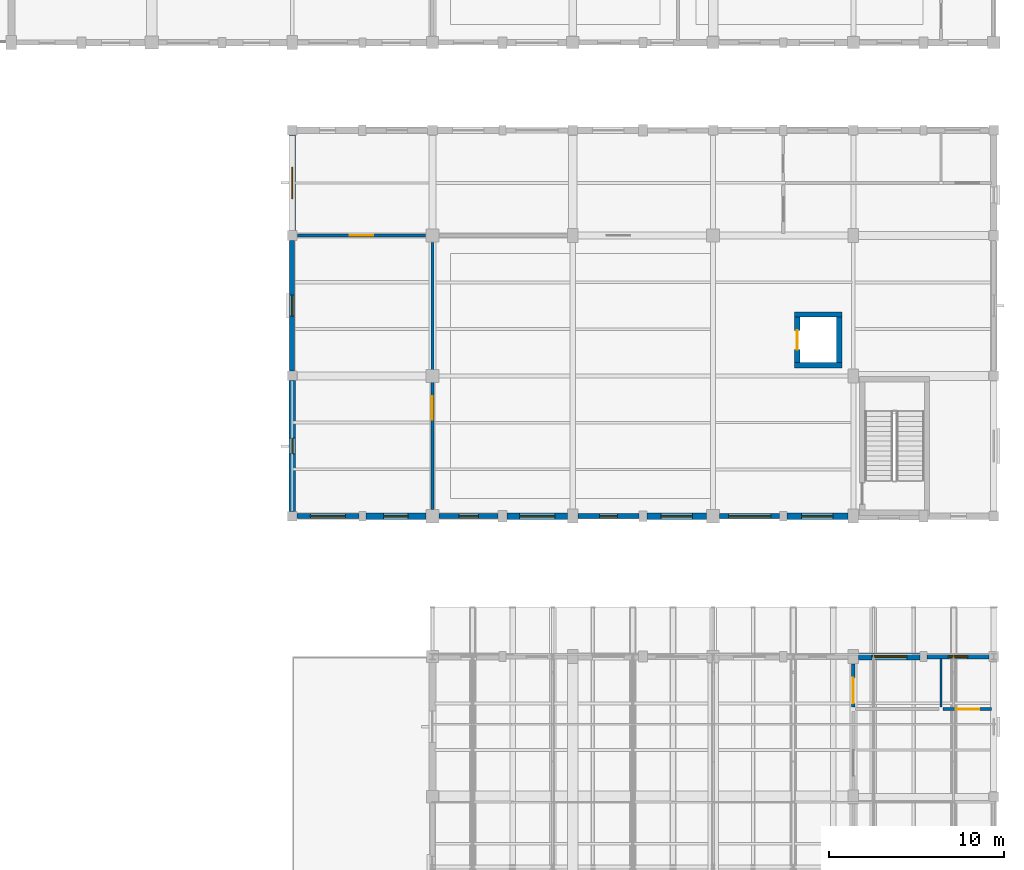
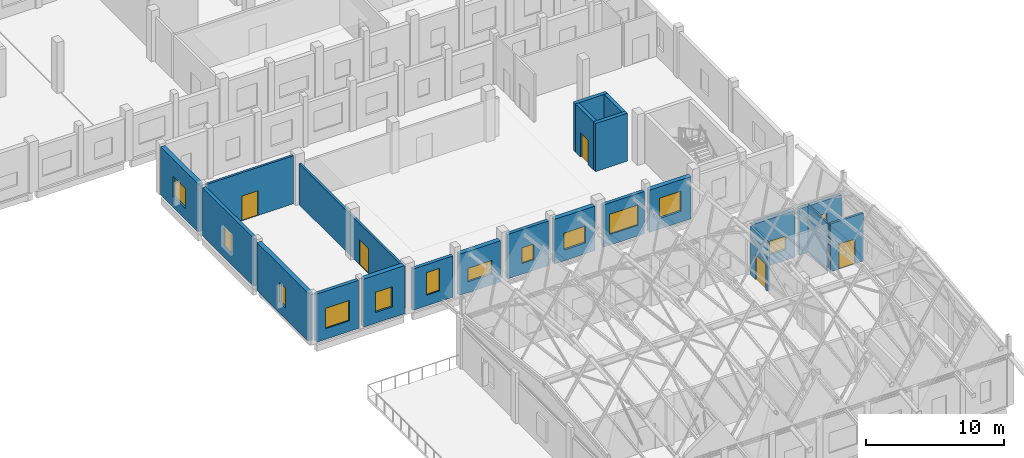
# One storey, part 47 of 77: 22 walls, 13 windows, 5 doors, 18 openings.
"""IFC4 building model written with IfcOpenShell, lengths in metres."""

from ifc_helpers import new_model, si_unit, direction, frame, frame_2d, origin, place, context, subcontext, project, spatial, rectangle, extrude, material, layer, layer_set, type_object, element, fill, save


model = new_model("IFC4")

# Units and contexts
model_context = context("Model", 3, precision=1e-05, world=origin(), true_north=direction((0.0, 1.0)))
body_context = subcontext(model_context, "Body", "Model", "MODEL_VIEW")
ifc_project = project(units=[si_unit("LENGTHUNIT", "METRE"), si_unit("AREAUNIT", "SQUARE_METRE"), si_unit("VOLUMEUNIT", "CUBIC_METRE"), si_unit("PLANEANGLEUNIT", "RADIAN"), si_unit("MASSUNIT", "GRAM", prefix="KILO")], contexts=[model_context])

# Site, building, storey
site_placement = place(None, origin())
site = spatial("IfcSite", under=ifc_project, at=site_placement, CompositionType="ELEMENT")
building_placement = place(site_placement, origin())
building = spatial("IfcBuilding", under=site, at=building_placement, Name="Luwemba Playhouse", CompositionType="ELEMENT")
storey_placement = place(building_placement, frame((0.0, 0.0, 9.300048828125)))
storey = spatial("IfcBuildingStorey", under=building, at=storey_placement, Name="L02", CompositionType="ELEMENT", Elevation=9.300048828125)

# Wall, opening, window
ifc_material_1 = material(Name="Clay facing brick obra vista masonry", Category="masonry")
ifc_layer_1 = layer(ifc_material_1, 0.3798828125)
ifc_layer_set_1 = layer_set([ifc_layer_1], Name="Clay facing brick obra vista masonry")
wall_type_1 = type_object("IfcWallType", Name="WAL-BRK-380", PredefinedType="SOLIDWALL", material=ifc_layer_set_1)
wall_1_placement = place(storey_placement, frame((164.300048828125, 60.0, 0.0), z_axis=(0.0, 0.0, 1.0), x_axis=(1.0, 0.0, 0.0)))
wall_1 = element("IfcWall", 1, at=wall_1_placement, inside=storey, type_object=wall_type_1, Name="L02 V3 exterior facade wall 0312", PredefinedType="SOLIDWALL", context=body_context, shape_type="SweptSolid", body=[
    extrude(rectangle(XDim=3.5, YDim=0.3798828125, at=frame_2d((1.75, 0.0))), origin(), (0.0, 0.0, 1.0), 4.125),
])
opening_1_placement = place(wall_1_placement, frame((0.75, 0.0, 0.949951171875)))
opening_1 = element("IfcOpeningElement", 2, at=opening_1_placement, cuts=wall_1, Name="Opening WN-16", PredefinedType="OPENING", context=body_context, shape_type="SweptSolid", body=[
    extrude(rectangle(XDim=2.0, YDim=1.199951171875, at=frame_2d((1.0, 0.60009765625))), frame((0.0, 0.199951171875, 0.0), z_axis=(0.0, -1.0, 0.0), x_axis=(1.0, 0.0, 0.0)), (0.0, 0.0, 1.0), 0.39990234375),
])
ifc_material_2 = material(Name="Solar-control double glazing in aluminium frame", Category="aluminium")
window_type_1 = type_object("IfcWindowType", Name="WIN-WN-16", PartitioningType="DOUBLE_PANEL_HORIZONTAL", PredefinedType="WINDOW", material=ifc_material_2)
window_1_placement = place(opening_1_placement, origin())
window_1 = element("IfcWindow", 3, at=window_1_placement, inside=storey, type_object=window_type_1, Name="L02 V3 scheduled window 0257", OverallHeight=1.199951171875, OverallWidth=2.0, PartitioningType="DOUBLE_PANEL_HORIZONTAL", PredefinedType="WINDOW", context=body_context, shape_type="SweptSolid", body=[
    extrude(rectangle(XDim=2.0, YDim=1.199951171875, at=frame_2d((1.0, 0.60009765625))), frame((0.0, 0.030029296875, 0.0), z_axis=(0.0, -1.0, 0.0), x_axis=(1.0, 0.0, 0.0)), (0.0, 0.0, 1.0), 0.06005859375),
])
fill(opening_1, window_1)

wall_2_placement = place(storey_placement, frame((132.0, 68.27490234375, 0.0), z_axis=(0.0, 0.0, 1.0), x_axis=(0.0, 1.0, 0.0)))
wall_2 = element("IfcWall", 4, at=wall_2_placement, inside=storey, type_object=wall_type_1, Name="L02 V4 exterior facade wall 0325", PredefinedType="SOLIDWALL", context=body_context, shape_type="SweptSolid", body=[
    extrude(rectangle(XDim=7.4501953125, YDim=0.3798828125, at=frame_2d((3.72509765625, 0.0))), origin(), (0.0, 0.0, 1.0), 4.27001953125),
])
opening_2_placement = place(wall_2_placement, frame((3.27490234375, 0.0, 0.949951171875)))
opening_2 = element("IfcOpeningElement", 5, at=opening_2_placement, cuts=wall_2, Name="Opening WN-18", PredefinedType="OPENING", context=body_context, shape_type="SweptSolid", body=[
    extrude(rectangle(XDim=0.89990234375, YDim=1.800048828125, at=frame_2d((0.449951171875, 0.89990234375))), frame((0.0, 0.199951171875, 0.0), z_axis=(0.0, -1.0, 0.0), x_axis=(1.0, 0.0, 0.0)), (0.0, 0.0, 1.0), 0.39990234375),
])
window_type_2 = type_object("IfcWindowType", Name="WIN-WN-18", PartitioningType="SINGLE_PANEL", PredefinedType="WINDOW", material=ifc_material_2)
window_2_placement = place(opening_2_placement, origin())
window_2 = element("IfcWindow", 6, at=window_2_placement, inside=storey, type_object=window_type_2, Name="L02 V4 scheduled window 0270", OverallHeight=1.800048828125, OverallWidth=0.89990234375, PartitioningType="SINGLE_PANEL", PredefinedType="WINDOW", context=body_context, shape_type="SweptSolid", body=[
    extrude(rectangle(XDim=0.89990234375, YDim=1.800048828125, at=frame_2d((0.449951171875, 0.89990234375))), frame((0.0, 0.030029296875, 0.0), z_axis=(0.0, -1.0, 0.0), x_axis=(1.0, 0.0, 0.0)), (0.0, 0.0, 1.0), 0.06005859375),
])
fill(opening_2, window_2)

wall_3_placement = place(storey_placement, frame((132.0, 84.27490234375, 0.0), z_axis=(0.0, 0.0, 1.0), x_axis=(0.0, 1.0, 0.0)))
wall_3 = element("IfcWall", 7, at=wall_3_placement, inside=storey, type_object=wall_type_1, Name="L02 V4 exterior facade wall 0327", PredefinedType="SOLIDWALL", context=body_context, shape_type="SweptSolid", body=[
    extrude(rectangle(XDim=5.4501953125, YDim=0.3798828125, at=frame_2d((2.72509765625, 0.0))), origin(), (0.0, 0.0, 1.0), 4.27001953125),
])
opening_3_placement = place(wall_3_placement, frame((1.824951171875, 0.0, 0.949951171875)))
opening_3 = element("IfcOpeningElement", 8, at=opening_3_placement, cuts=wall_3, Name="Opening WN-04", PredefinedType="OPENING", context=body_context, shape_type="SweptSolid", body=[
    extrude(rectangle(XDim=1.800048828125, YDim=1.800048828125, at=frame_2d((0.89990234375, 0.89990234375))), frame((0.0, 0.199951171875, 0.0), z_axis=(0.0, -1.0, 0.0), x_axis=(1.0, 0.0, 0.0)), (0.0, 0.0, 1.0), 0.39990234375),
])
window_type_3 = type_object("IfcWindowType", Name="WIN-WN-04", PartitioningType="DOUBLE_PANEL_VERTICAL", PredefinedType="WINDOW", material=ifc_material_2)
window_3_placement = place(opening_3_placement, origin())
window_3 = element("IfcWindow", 9, at=window_3_placement, inside=storey, type_object=window_type_3, Name="L02 V4 scheduled window 0272", OverallHeight=1.800048828125, OverallWidth=1.800048828125, PartitioningType="DOUBLE_PANEL_VERTICAL", PredefinedType="WINDOW", context=body_context, shape_type="SweptSolid", body=[
    extrude(rectangle(XDim=1.800048828125, YDim=1.800048828125, at=frame_2d((0.89990234375, 0.89990234375))), frame((0.0, 0.030029296875, 0.0), z_axis=(0.0, -1.0, 0.0), x_axis=(1.0, 0.0, 0.0)), (0.0, 0.0, 1.0), 0.06005859375),
])
fill(opening_3, window_3)

wall_4_placement = place(storey_placement, frame((163.699951171875, 68.0, 0.0), z_axis=(0.0, 0.0, 1.0), x_axis=(-1.0, 0.0, 0.0)))
wall_4 = element("IfcWall", 10, at=wall_4_placement, inside=storey, type_object=wall_type_1, Name="L02 V4 exterior facade wall 0343", PredefinedType="SOLIDWALL", context=body_context, shape_type="SweptSolid", body=[
    extrude(rectangle(XDim=3.5, YDim=0.3798828125, at=frame_2d((1.75, 0.0))), origin(), (0.0, 0.0, 1.0), 3.7548828125),
])
opening_4_placement = place(wall_4_placement, frame((0.85009765625, 0.0, 0.949951171875)))
opening_4 = element("IfcOpeningElement", 11, at=opening_4_placement, cuts=wall_4, Name="Opening WN-04", PredefinedType="OPENING", context=body_context, shape_type="SweptSolid", body=[
    extrude(rectangle(XDim=1.800048828125, YDim=1.800048828125, at=frame_2d((0.89990234375, 0.89990234375))), frame((0.0, 0.199951171875, 0.0), z_axis=(0.0, -1.0, 0.0), x_axis=(1.0, 0.0, 0.0)), (0.0, 0.0, 1.0), 0.39990234375),
])
window_4_placement = place(opening_4_placement, origin())
window_4 = element("IfcWindow", 12, at=window_4_placement, inside=storey, type_object=window_type_3, Name="L02 V4 scheduled window 0288", OverallHeight=1.800048828125, OverallWidth=1.800048828125, PartitioningType="DOUBLE_PANEL_VERTICAL", PredefinedType="WINDOW", context=body_context, shape_type="SweptSolid", body=[
    extrude(rectangle(XDim=1.800048828125, YDim=1.800048828125, at=frame_2d((0.89990234375, 0.89990234375))), frame((0.0, 0.030029296875, 0.0), z_axis=(0.0, -1.0, 0.0), x_axis=(1.0, 0.0, 0.0)), (0.0, 0.0, 1.0), 0.06005859375),
])
fill(opening_4, window_4)

wall_5_placement = place(storey_placement, frame((155.625, 68.0, 0.0), z_axis=(0.0, 0.0, 1.0), x_axis=(-1.0, 0.0, 0.0)))
wall_5 = element("IfcWall", 13, at=wall_5_placement, inside=storey, type_object=wall_type_1, Name="L02 V4 exterior facade wall 0345", PredefinedType="SOLIDWALL", context=body_context, shape_type="SweptSolid", body=[
    extrude(rectangle(XDim=3.39990234375, YDim=0.3798828125, at=frame_2d((1.699951171875, 0.0))), origin(), (0.0, 0.0, 1.0), 3.954833984375),
])
opening_5_placement = place(wall_5_placement, frame((0.800048828125, 0.0, 0.949951171875)))
opening_5 = element("IfcOpeningElement", 14, at=opening_5_placement, cuts=wall_5, Name="Opening WN-10", PredefinedType="OPENING", context=body_context, shape_type="SweptSolid", body=[
    extrude(rectangle(XDim=1.800048828125, YDim=1.5, at=frame_2d((0.89990234375, 0.75))), frame((0.0, 0.199951171875, 0.0), z_axis=(0.0, -1.0, 0.0), x_axis=(1.0, 0.0, 0.0)), (0.0, 0.0, 1.0), 0.39990234375),
])
window_type_4 = type_object("IfcWindowType", Name="WIN-WN-10", PartitioningType="DOUBLE_PANEL_VERTICAL", PredefinedType="WINDOW", material=ifc_material_2)
window_5_placement = place(opening_5_placement, origin())
window_5 = element("IfcWindow", 15, at=window_5_placement, inside=storey, type_object=window_type_4, Name="L02 V4 scheduled window 0290", OverallHeight=1.5, OverallWidth=1.800048828125, PartitioningType="DOUBLE_PANEL_VERTICAL", PredefinedType="WINDOW", context=body_context, shape_type="SweptSolid", body=[
    extrude(rectangle(XDim=1.800048828125, YDim=1.5, at=frame_2d((0.89990234375, 0.75))), frame((0.0, 0.030029296875, 0.0), z_axis=(0.0, -1.0, 0.0), x_axis=(1.0, 0.0, 0.0)), (0.0, 0.0, 1.0), 0.06005859375),
])
fill(opening_5, window_5)

wall_6_placement = place(storey_placement, frame((147.699951171875, 68.0, 0.0), z_axis=(0.0, 0.0, 1.0), x_axis=(-1.0, 0.0, 0.0)))
wall_6 = element("IfcWall", 16, at=wall_6_placement, inside=storey, type_object=wall_type_1, Name="L02 V4 exterior facade wall 0347", PredefinedType="SOLIDWALL", context=body_context, shape_type="SweptSolid", body=[
    extrude(rectangle(XDim=3.449951171875, YDim=0.3798828125, at=frame_2d((1.72509765625, 0.0))), origin(), (0.0, 0.0, 1.0), 3.655029296875),
])
opening_6_placement = place(wall_6_placement, frame((0.72509765625, 0.0, 0.949951171875)))
opening_6 = element("IfcOpeningElement", 17, at=opening_6_placement, cuts=wall_6, Name="Opening WN-16", PredefinedType="OPENING", context=body_context, shape_type="SweptSolid", body=[
    extrude(rectangle(XDim=2.0, YDim=1.199951171875, at=frame_2d((1.0, 0.60009765625))), frame((0.0, 0.199951171875, 0.0), z_axis=(0.0, -1.0, 0.0), x_axis=(1.0, 0.0, 0.0)), (0.0, 0.0, 1.0), 0.39990234375),
])
window_6_placement = place(opening_6_placement, origin())
window_6 = element("IfcWindow", 18, at=window_6_placement, inside=storey, type_object=window_type_1, Name="L02 V4 scheduled window 0292", OverallHeight=1.199951171875, OverallWidth=2.0, PartitioningType="DOUBLE_PANEL_HORIZONTAL", PredefinedType="WINDOW", context=body_context, shape_type="SweptSolid", body=[
    extrude(rectangle(XDim=2.0, YDim=1.199951171875, at=frame_2d((1.0, 0.60009765625))), frame((0.0, 0.030029296875, 0.0), z_axis=(0.0, -1.0, 0.0), x_axis=(1.0, 0.0, 0.0)), (0.0, 0.0, 1.0), 0.06005859375),
])
fill(opening_6, window_6)

wall_7_placement = place(storey_placement, frame((139.625, 68.0, 0.0), z_axis=(0.0, 0.0, 1.0), x_axis=(-1.0, 0.0, 0.0)))
wall_7 = element("IfcWall", 19, at=wall_7_placement, inside=storey, type_object=wall_type_1, Name="L02 V4 exterior facade wall 0349", PredefinedType="SOLIDWALL", context=body_context, shape_type="SweptSolid", body=[
    extrude(rectangle(XDim=3.425048828125, YDim=0.3798828125, at=frame_2d((1.71240234375, 0.0))), origin(), (0.0, 0.0, 1.0), 4.27001953125),
])
opening_7_placement = place(wall_7_placement, frame((1.012451171875, 0.0, 0.949951171875)))
opening_7 = element("IfcOpeningElement", 20, at=opening_7_placement, cuts=wall_7, Name="Opening WN-02", PredefinedType="OPENING", context=body_context, shape_type="SweptSolid", body=[
    extrude(rectangle(XDim=1.39990234375, YDim=1.800048828125, at=frame_2d((0.699951171875, 0.89990234375))), frame((0.0, 0.199951171875, 0.0), z_axis=(0.0, -1.0, 0.0), x_axis=(1.0, 0.0, 0.0)), (0.0, 0.0, 1.0), 0.39990234375),
])
window_type_5 = type_object("IfcWindowType", Name="WIN-WN-02", PartitioningType="DOUBLE_PANEL_VERTICAL", PredefinedType="WINDOW", material=ifc_material_2)
window_7_placement = place(opening_7_placement, origin())
window_7 = element("IfcWindow", 21, at=window_7_placement, inside=storey, type_object=window_type_5, Name="L02 V4 scheduled window 0294", OverallHeight=1.800048828125, OverallWidth=1.39990234375, PartitioningType="DOUBLE_PANEL_VERTICAL", PredefinedType="WINDOW", context=body_context, shape_type="SweptSolid", body=[
    extrude(rectangle(XDim=1.39990234375, YDim=1.800048828125, at=frame_2d((0.699951171875, 0.89990234375))), frame((0.0, 0.030029296875, 0.0), z_axis=(0.0, -1.0, 0.0), x_axis=(1.0, 0.0, 0.0)), (0.0, 0.0, 1.0), 0.06005859375),
])
fill(opening_7, window_7)

# Walls
ifc_material_3 = material(Name="Concrete C40/50", Category="concrete")
ifc_layer_2 = layer(ifc_material_3, 0.300048828125)
ifc_layer_set_2 = layer_set([ifc_layer_2], Name="Concrete C40/50")
wall_type_2 = type_object("IfcWallType", Name="WAL-CORE-300", PredefinedType="SHEAR", material=ifc_layer_set_2)
for number, where, z_axis, x_axis, name in (
    (22, (160.64990234375, 76.60009765625, 0.0), (0.0, 0.0, 1.0), (1.0, 0.0, 0.0), "L02 Lift LF-P7 shaft wall S"),
    (23, (163.35009765625, 79.5, 0.0), (0.0, 0.0, 1.0), (-1.0, 0.0, 0.0), "L02 Lift LF-P7 shaft wall N"),
):
    element("IfcWall", number, at=place(storey_placement, frame(where, z_axis=z_axis, x_axis=x_axis)), inside=storey, type_object=wall_type_2, Name=name, PredefinedType="SHEAR", context=body_context, shape_type="SweptSolid", body=[
        extrude(rectangle(XDim=2.7001953125, YDim=0.300048828125, at=frame_2d((1.35009765625, 0.0))), origin(), (0.0, 0.0, 1.0), 4.27001953125),
    ])

# Wall, opening, door
wall_8_placement = place(storey_placement, frame((160.800048828125, 76.75, 0.0), z_axis=(0.0, 0.0, 1.0), x_axis=(0.0, 1.0, 0.0)))
wall_8 = element("IfcWall", 24, at=wall_8_placement, inside=storey, type_object=wall_type_2, Name="L02 Lift LF-P7 shaft wall W", PredefinedType="SHEAR", context=body_context, shape_type="SweptSolid", body=[
    extrude(rectangle(XDim=2.60009765625, YDim=0.300048828125, at=frame_2d((1.300048828125, 0.0))), origin(), (0.0, 0.0, 1.0), 4.27001953125),
])
opening_8_placement = place(wall_8_placement, frame((0.75, 0.0, 0.0)))
opening_8 = element("IfcOpeningElement", 25, at=opening_8_placement, cuts=wall_8, Name="Opening LD-01", PredefinedType="OPENING", context=body_context, shape_type="SweptSolid", body=[
    extrude(rectangle(XDim=1.10009765625, YDim=2.14990234375, at=frame_2d((0.550048828125, 1.074951171875))), frame((0.0, 0.159912109375, 0.0), z_axis=(0.0, -1.0, 0.0), x_axis=(1.0, 0.0, 0.0)), (0.0, 0.0, 1.0), 0.320068359375),
])
ifc_material_4 = material(Name="Stainless steel lift landing doors", Category="steel")
door_type_1 = type_object("IfcDoorType", Name="DR-LIFT-110", OperationType="NOTDEFINED", PredefinedType="DOOR", material=ifc_material_4)
door_1_placement = place(opening_8_placement, origin())
door_1 = element("IfcDoor", 26, at=door_1_placement, inside=storey, type_object=door_type_1, Name="L02 Lift LF-P7 landing door", OperationType="DOUBLE_DOOR_SLIDING", OverallHeight=2.14990234375, OverallWidth=1.10009765625, PredefinedType="DOOR", context=body_context, shape_type="SweptSolid", body=[
    extrude(rectangle(XDim=1.10009765625, YDim=2.14990234375, at=frame_2d((0.550048828125, 1.074951171875))), frame((0.0, 0.02490234375, 0.0), z_axis=(0.0, -1.0, 0.0), x_axis=(1.0, 0.0, 0.0)), (0.0, 0.0, 1.0), 0.050048828125),
])
fill(opening_8, door_1)

# Walls
wall_9_placement = place(storey_placement, frame((163.199951171875, 79.35009765625, 0.0), z_axis=(0.0, 0.0, 1.0), x_axis=(0.0, -1.0, 0.0)))
element("IfcWall", 27, at=wall_9_placement, inside=storey, type_object=wall_type_2, Name="L02 Lift LF-P7 shaft wall E", PredefinedType="SHEAR", context=body_context, shape_type="SweptSolid", body=[
    extrude(rectangle(XDim=2.60009765625, YDim=0.300048828125, at=frame_2d((1.300048828125, 0.0))), origin(), (0.0, 0.0, 1.0), 4.27001953125),
])
ifc_material_5 = material(Name="Moisture-resistant sanitary partition", Category="gypsum")
ifc_layer_3 = layer(ifc_material_5, 0.1201171875)
ifc_layer_set_3 = layer_set([ifc_layer_3], Name="Moisture-resistant sanitary partition")
wall_type_3 = type_object("IfcWallType", Name="WAL-INT-120", PredefinedType="PARTITIONING", material=ifc_layer_set_3)
wall_10_placement = place(storey_placement, frame((169.0, 57.1201171875, 0.0), z_axis=(0.0, 0.0, 1.0), x_axis=(0.0, 1.0, 0.0)))
element("IfcWall", 28, at=wall_10_placement, inside=storey, type_object=wall_type_3, Name="L02 V3 interior partition 0177", PredefinedType="PARTITIONING", context=body_context, shape_type="SweptSolid", body=[
    extrude(rectangle(XDim=2.759765625, YDim=0.1201171875, at=frame_2d((1.3798828125, 0.0))), origin(), (0.0, 0.0, 1.0), 4.25),
])

# Wall, opening, door
ifc_material_6 = material(Name="Double-stud acoustic gypsum partition", Category="gypsum")
ifc_layer_4 = layer(ifc_material_6, 0.179931640625)
ifc_layer_set_4 = layer_set([ifc_layer_4], Name="Double-stud acoustic gypsum partition")
wall_type_4 = type_object("IfcWallType", Name="WAL-INT-180", PredefinedType="PARTITIONING", material=ifc_layer_set_4)
wall_11_placement = place(storey_placement, frame((169.1201171875, 57.0, 0.0), z_axis=(0.0, 0.0, 1.0), x_axis=(1.0, 0.0, 0.0)))
wall_11 = element("IfcWall", 29, at=wall_11_placement, inside=storey, type_object=wall_type_4, Name="L02 V3 interior partition 0175", PredefinedType="PARTITIONING", context=body_context, shape_type="SweptSolid", body=[
    extrude(rectangle(XDim=2.759765625, YDim=0.179931640625, at=frame_2d((1.3798828125, 0.0))), origin(), (0.0, 0.0, 1.0), 4.25),
])
opening_9_placement = place(wall_11_placement, frame((0.705078125, 0.0, 0.0)))
opening_9 = element("IfcOpeningElement", 30, at=opening_9_placement, cuts=wall_11, Name="Opening D-STU1", PredefinedType="OPENING", context=body_context, shape_type="SweptSolid", body=[
    extrude(rectangle(XDim=1.35009765625, YDim=2.199951171875, at=frame_2d((0.675048828125, 1.10009765625))), frame((0.0, 0.099853515625, 0.0), z_axis=(0.0, -1.0, 0.0), x_axis=(1.0, 0.0, 0.0)), (0.0, 0.0, 1.0), 0.199951171875),
])
ifc_material_7 = material(Name="Acoustic studio door", Category="wood")
door_type_2 = type_object("IfcDoorType", Name="DR-STU-135", OperationType="NOTDEFINED", PredefinedType="DOOR", material=ifc_material_7)
door_2_placement = place(opening_9_placement, origin())
door_2 = element("IfcDoor", 31, at=door_2_placement, inside=storey, type_object=door_type_2, Name="L02 Theatrical Video Editing Suite to Level 2 Studio Accessible WC door", OperationType="SINGLE_SWING_RIGHT", OverallHeight=2.199951171875, OverallWidth=1.35009765625, PredefinedType="DOOR", context=body_context, shape_type="SweptSolid", body=[
    extrude(rectangle(XDim=1.35009765625, YDim=2.199951171875, at=frame_2d((0.675048828125, 1.10009765625))), frame((0.0, 0.02490234375, 0.0), z_axis=(0.0, -1.0, 0.0), x_axis=(1.0, 0.0, 0.0)), (0.0, 0.0, 1.0), 0.050048828125),
])
fill(opening_9, door_2)

wall_12_placement = place(storey_placement, frame((140.0, 68.39501953125, 0.0), z_axis=(0.0, 0.0, 1.0), x_axis=(0.0, 1.0, 0.0)))
wall_12 = element("IfcWall", 32, at=wall_12_placement, inside=storey, type_object=wall_type_4, Name="L02 V4 interior partition 0178", PredefinedType="PARTITIONING", context=body_context, shape_type="SweptSolid", body=[
    extrude(rectangle(XDim=15.2099609375, YDim=0.179931640625, at=frame_2d((7.60498046875, 0.0))), origin(), (0.0, 0.0, 1.0), 3.655029296875),
])
opening_10_placement = place(wall_12_placement, frame((5.104736328125, 0.0, 0.0)))
opening_10 = element("IfcOpeningElement", 33, at=opening_10_placement, cuts=wall_12, Name="Opening D-STU1", PredefinedType="OPENING", context=body_context, shape_type="SweptSolid", body=[
    extrude(rectangle(XDim=1.35009765625, YDim=2.199951171875, at=frame_2d((0.675048828125, 1.10009765625))), frame((0.0, 0.099853515625, 0.0), z_axis=(0.0, -1.0, 0.0), x_axis=(1.0, 0.0, 0.0)), (0.0, 0.0, 1.0), 0.199951171875),
])
door_3_placement = place(opening_10_placement, origin())
door_3 = element("IfcDoor", 34, at=door_3_placement, inside=storey, type_object=door_type_2, Name="L02 Live Cultural Broadcast Studio to Radio Drama and Podcast Suite door", OperationType="SINGLE_SWING_LEFT", OverallHeight=2.199951171875, OverallWidth=1.35009765625, PredefinedType="DOOR", context=body_context, shape_type="SweptSolid", body=[
    extrude(rectangle(XDim=1.35009765625, YDim=2.199951171875, at=frame_2d((0.675048828125, 1.10009765625))), frame((0.0, 0.02490234375, 0.0), z_axis=(0.0, -1.0, 0.0), x_axis=(1.0, 0.0, 0.0)), (0.0, 0.0, 1.0), 0.050048828125),
])
fill(opening_10, door_3)

wall_13_placement = place(storey_placement, frame((132.294921875, 84.0, 0.0), z_axis=(0.0, 0.0, 1.0), x_axis=(1.0, 0.0, 0.0)))
wall_13 = element("IfcWall", 35, at=wall_13_placement, inside=storey, type_object=wall_type_4, Name="L02 V4 interior partition 0180", PredefinedType="PARTITIONING", context=body_context, shape_type="SweptSolid", body=[
    extrude(rectangle(XDim=7.31005859375, YDim=0.179931640625, at=frame_2d((3.655029296875, 0.0))), origin(), (0.0, 0.0, 1.0), 4.27001953125),
])
opening_11_placement = place(wall_13_placement, frame((2.97998046875, 0.0, 0.0)))
opening_11 = element("IfcOpeningElement", 36, at=opening_11_placement, cuts=wall_13, Name="Opening D-STU1", PredefinedType="OPENING", context=body_context, shape_type="SweptSolid", body=[
    extrude(rectangle(XDim=1.35009765625, YDim=2.199951171875, at=frame_2d((0.675048828125, 1.10009765625))), frame((0.0, 0.099853515625, 0.0), z_axis=(0.0, -1.0, 0.0), x_axis=(1.0, 0.0, 0.0)), (0.0, 0.0, 1.0), 0.199951171875),
])
door_4_placement = place(opening_11_placement, origin())
door_4 = element("IfcDoor", 37, at=door_4_placement, inside=storey, type_object=door_type_2, Name="L02 Radio Drama and Podcast Suite to Broadcast Floor Corridor door", OperationType="SINGLE_SWING_LEFT", OverallHeight=2.199951171875, OverallWidth=1.35009765625, PredefinedType="DOOR", context=body_context, shape_type="SweptSolid", body=[
    extrude(rectangle(XDim=1.35009765625, YDim=2.199951171875, at=frame_2d((0.675048828125, 1.10009765625))), frame((0.0, 0.02490234375, 0.0), z_axis=(0.0, -1.0, 0.0), x_axis=(1.0, 0.0, 0.0)), (0.0, 0.0, 1.0), 0.050048828125),
])
fill(opening_11, door_4)

ifc_material_8 = material(Name="Clay acoustic masonry blockwork", Category="masonry")
ifc_layer_5 = layer(ifc_material_8, 0.199951171875)
ifc_layer_set_5 = layer_set([ifc_layer_5], Name="Clay acoustic masonry blockwork")
wall_type_5 = type_object("IfcWallType", Name="WAL-INT-200", PredefinedType="PARTITIONING", material=ifc_layer_set_5)
wall_14_placement = place(storey_placement, frame((164.0, 57.1201171875, 0.0), z_axis=(0.0, 0.0, 1.0), x_axis=(0.0, 1.0, 0.0)))
wall_14 = element("IfcWall", 38, at=wall_14_placement, inside=storey, type_object=wall_type_5, Name="L02 V3 interior partition 0173", PredefinedType="PARTITIONING", context=body_context, shape_type="SweptSolid", body=[
    extrude(rectangle(XDim=2.4599609375, YDim=0.199951171875, at=frame_2d((1.22998046875, 0.0))), origin(), (0.0, 0.0, 1.0), 4.25),
])
opening_12_placement = place(wall_14_placement, frame((0.209716796875, 0.0, 0.0)))
opening_12 = element("IfcOpeningElement", 39, at=opening_12_placement, cuts=wall_14, Name="Opening D-REH1", PredefinedType="OPENING", context=body_context, shape_type="SweptSolid", body=[
    extrude(rectangle(XDim=1.449951171875, YDim=2.25, at=frame_2d((0.72509765625, 1.125))), frame((0.0, 0.10986328125, 0.0), z_axis=(0.0, -1.0, 0.0), x_axis=(1.0, 0.0, 0.0)), (0.0, 0.0, 1.0), 0.219970703125),
])
ifc_material_9 = material(Name="Acoustic rehearsal leaf-and-half door", Category="wood")
door_type_3 = type_object("IfcDoorType", Name="DR-REH-145", OperationType="NOTDEFINED", PredefinedType="DOOR", material=ifc_material_9)
door_5_placement = place(opening_12_placement, origin())
door_5 = element("IfcDoor", 40, at=door_5_placement, inside=storey, type_object=door_type_3, Name="L02 Ensemble Chamber Practice Hall to Level 2 Studio Staff Toilets door", OperationType="SINGLE_SWING_RIGHT", OverallHeight=2.25, OverallWidth=1.449951171875, PredefinedType="DOOR", context=body_context, shape_type="SweptSolid", body=[
    extrude(rectangle(XDim=1.449951171875, YDim=2.25, at=frame_2d((0.72509765625, 1.125))), frame((0.0, 0.02490234375, 0.0), z_axis=(0.0, -1.0, 0.0), x_axis=(1.0, 0.0, 0.0)), (0.0, 0.0, 1.0), 0.050048828125),
])
fill(opening_12, door_5)

# Wall, opening, window
ifc_material_10 = material(Name="Structural timber GL24h infill", Category="wood")
ifc_layer_6 = layer(ifc_material_10, 0.280029296875)
ifc_layer_set_6 = layer_set([ifc_layer_6], Name="Structural timber GL24h infill")
wall_type_6 = type_object("IfcWallType", Name="WAL-TIM-280", PredefinedType="SOLIDWALL", material=ifc_layer_set_6)
wall_15_placement = place(storey_placement, frame((168.199951171875, 60.0, 0.0), z_axis=(0.0, 0.0, 1.0), x_axis=(1.0, 0.0, 0.0)))
wall_15 = element("IfcWall", 41, at=wall_15_placement, inside=storey, type_object=wall_type_6, Name="L02 V3 exterior facade wall 0313", PredefinedType="SOLIDWALL", context=body_context, shape_type="SweptSolid", body=[
    extrude(rectangle(XDim=3.525146484375, YDim=0.280029296875, at=frame_2d((1.7626953125, 0.0))), origin(), (0.0, 0.0, 1.0), 4.125),
])
opening_13_placement = place(wall_15_placement, frame((1.21240234375, 0.0, 0.949951171875)))
opening_13 = element("IfcOpeningElement", 42, at=opening_13_placement, cuts=wall_15, Name="Opening WN-19", PredefinedType="OPENING", context=body_context, shape_type="SweptSolid", body=[
    extrude(rectangle(XDim=1.10009765625, YDim=2.0, at=frame_2d((0.550048828125, 1.0))), frame((0.0, 0.14990234375, 0.0), z_axis=(0.0, -1.0, 0.0), x_axis=(1.0, 0.0, 0.0)), (0.0, 0.0, 1.0), 0.300048828125),
])
window_type_6 = type_object("IfcWindowType", Name="WIN-WN-19", PartitioningType="SINGLE_PANEL", PredefinedType="WINDOW", material=ifc_material_2)
window_8_placement = place(opening_13_placement, origin())
window_8 = element("IfcWindow", 43, at=window_8_placement, inside=storey, type_object=window_type_6, Name="L02 V3 scheduled window 0258", OverallHeight=2.0, OverallWidth=1.10009765625, PartitioningType="SINGLE_PANEL", PredefinedType="WINDOW", context=body_context, shape_type="SweptSolid", body=[
    extrude(rectangle(XDim=1.10009765625, YDim=2.0, at=frame_2d((0.550048828125, 1.0))), frame((0.0, 0.030029296875, 0.0), z_axis=(0.0, -1.0, 0.0), x_axis=(1.0, 0.0, 0.0)), (0.0, 0.0, 1.0), 0.06005859375),
])
fill(opening_13, window_8)

wall_16_placement = place(storey_placement, frame((132.0, 76.27490234375, 0.0), z_axis=(0.0, 0.0, 1.0), x_axis=(0.0, 1.0, 0.0)))
wall_16 = element("IfcWall", 44, at=wall_16_placement, inside=storey, type_object=wall_type_6, Name="L02 V4 exterior facade wall 0326", PredefinedType="SOLIDWALL", context=body_context, shape_type="SweptSolid", body=[
    extrude(rectangle(XDim=7.4501953125, YDim=0.280029296875, at=frame_2d((3.72509765625, 0.0))), origin(), (0.0, 0.0, 1.0), 4.27001953125),
])
opening_14_placement = place(wall_16_placement, frame((3.125, 0.0, 0.949951171875)))
opening_14 = element("IfcOpeningElement", 45, at=opening_14_placement, cuts=wall_16, Name="Opening WN-01", PredefinedType="OPENING", context=body_context, shape_type="SweptSolid", body=[
    extrude(rectangle(XDim=1.199951171875, YDim=1.800048828125, at=frame_2d((0.60009765625, 0.89990234375))), frame((0.0, 0.14990234375, 0.0), z_axis=(0.0, -1.0, 0.0), x_axis=(1.0, 0.0, 0.0)), (0.0, 0.0, 1.0), 0.300048828125),
])
window_type_7 = type_object("IfcWindowType", Name="WIN-WN-01", PartitioningType="SINGLE_PANEL", PredefinedType="WINDOW", material=ifc_material_2)
window_9_placement = place(opening_14_placement, origin())
window_9 = element("IfcWindow", 46, at=window_9_placement, inside=storey, type_object=window_type_7, Name="L02 V4 scheduled window 0271", OverallHeight=1.800048828125, OverallWidth=1.199951171875, PartitioningType="SINGLE_PANEL", PredefinedType="WINDOW", context=body_context, shape_type="SweptSolid", body=[
    extrude(rectangle(XDim=1.199951171875, YDim=1.800048828125, at=frame_2d((0.60009765625, 0.89990234375))), frame((0.0, 0.030029296875, 0.0), z_axis=(0.0, -1.0, 0.0), x_axis=(1.0, 0.0, 0.0)), (0.0, 0.0, 1.0), 0.06005859375),
])
fill(opening_14, window_9)

wall_17_placement = place(storey_placement, frame((159.800048828125, 68.0, 0.0), z_axis=(0.0, 0.0, 1.0), x_axis=(-1.0, 0.0, 0.0)))
wall_17 = element("IfcWall", 47, at=wall_17_placement, inside=storey, type_object=wall_type_6, Name="L02 V4 exterior facade wall 0344", PredefinedType="SOLIDWALL", context=body_context, shape_type="SweptSolid", body=[
    extrude(rectangle(XDim=3.425048828125, YDim=0.280029296875, at=frame_2d((1.71240234375, 0.0))), origin(), (0.0, 0.0, 1.0), 3.7548828125),
])
opening_15_placement = place(wall_17_placement, frame((0.512451171875, 0.0, 0.949951171875)))
opening_15 = element("IfcOpeningElement", 48, at=opening_15_placement, cuts=wall_17, Name="Opening WN-07", PredefinedType="OPENING", context=body_context, shape_type="SweptSolid", body=[
    extrude(rectangle(XDim=2.39990234375, YDim=1.800048828125, at=frame_2d((1.199951171875, 0.89990234375))), frame((0.0, 0.14990234375, 0.0), z_axis=(0.0, -1.0, 0.0), x_axis=(1.0, 0.0, 0.0)), (0.0, 0.0, 1.0), 0.300048828125),
])
window_type_8 = type_object("IfcWindowType", Name="WIN-WN-07", PartitioningType="TRIPLE_PANEL_VERTICAL", PredefinedType="WINDOW", material=ifc_material_2)
window_10_placement = place(opening_15_placement, origin())
window_10 = element("IfcWindow", 49, at=window_10_placement, inside=storey, type_object=window_type_8, Name="L02 V4 scheduled window 0289", OverallHeight=1.800048828125, OverallWidth=2.39990234375, PartitioningType="TRIPLE_PANEL_VERTICAL", PredefinedType="WINDOW", context=body_context, shape_type="SweptSolid", body=[
    extrude(rectangle(XDim=2.39990234375, YDim=1.800048828125, at=frame_2d((1.199951171875, 0.89990234375))), frame((0.0, 0.030029296875, 0.0), z_axis=(0.0, -1.0, 0.0), x_axis=(1.0, 0.0, 0.0)), (0.0, 0.0, 1.0), 0.06005859375),
])
fill(opening_15, window_10)

wall_18_placement = place(storey_placement, frame((151.77490234375, 68.0, 0.0), z_axis=(0.0, 0.0, 1.0), x_axis=(-1.0, 0.0, 0.0)))
wall_18 = element("IfcWall", 50, at=wall_18_placement, inside=storey, type_object=wall_type_6, Name="L02 V4 exterior facade wall 0346", PredefinedType="SOLIDWALL", context=body_context, shape_type="SweptSolid", body=[
    extrude(rectangle(XDim=3.474853515625, YDim=0.280029296875, at=frame_2d((1.7373046875, 0.0))), origin(), (0.0, 0.0, 1.0), 3.954833984375),
])
opening_16_placement = place(wall_18_placement, frame((1.237548828125, 0.0, 0.949951171875)))
opening_16 = element("IfcOpeningElement", 51, at=opening_16_placement, cuts=wall_18, Name="Opening WN-13", PredefinedType="OPENING", context=body_context, shape_type="SweptSolid", body=[
    extrude(rectangle(XDim=1.0, YDim=1.39990234375, at=frame_2d((0.5, 0.699951171875))), frame((0.0, 0.14990234375, 0.0), z_axis=(0.0, -1.0, 0.0), x_axis=(1.0, 0.0, 0.0)), (0.0, 0.0, 1.0), 0.300048828125),
])
window_type_9 = type_object("IfcWindowType", Name="WIN-WN-13", PartitioningType="SINGLE_PANEL", PredefinedType="WINDOW", material=ifc_material_2)
window_11_placement = place(opening_16_placement, origin())
window_11 = element("IfcWindow", 52, at=window_11_placement, inside=storey, type_object=window_type_9, Name="L02 V4 scheduled window 0291", OverallHeight=1.39990234375, OverallWidth=1.0, PartitioningType="SINGLE_PANEL", PredefinedType="WINDOW", context=body_context, shape_type="SweptSolid", body=[
    extrude(rectangle(XDim=1.0, YDim=1.39990234375, at=frame_2d((0.5, 0.699951171875))), frame((0.0, 0.030029296875, 0.0), z_axis=(0.0, -1.0, 0.0), x_axis=(1.0, 0.0, 0.0)), (0.0, 0.0, 1.0), 0.06005859375),
])
fill(opening_16, window_11)

wall_19_placement = place(storey_placement, frame((143.75, 68.0, 0.0), z_axis=(0.0, 0.0, 1.0), x_axis=(-1.0, 0.0, 0.0)))
wall_19 = element("IfcWall", 53, at=wall_19_placement, inside=storey, type_object=wall_type_6, Name="L02 V4 exterior facade wall 0348", PredefinedType="SOLIDWALL", context=body_context, shape_type="SweptSolid", body=[
    extrude(rectangle(XDim=3.375, YDim=0.280029296875, at=frame_2d((1.6875, 0.0))), origin(), (0.0, 0.0, 1.0), 3.655029296875),
])
opening_17_placement = place(wall_19_placement, frame((1.137451171875, 0.0, 0.949951171875)))
opening_17 = element("IfcOpeningElement", 54, at=opening_17_placement, cuts=wall_19, Name="Opening WN-19", PredefinedType="OPENING", context=body_context, shape_type="SweptSolid", body=[
    extrude(rectangle(XDim=1.10009765625, YDim=2.0, at=frame_2d((0.550048828125, 1.0))), frame((0.0, 0.14990234375, 0.0), z_axis=(0.0, -1.0, 0.0), x_axis=(1.0, 0.0, 0.0)), (0.0, 0.0, 1.0), 0.300048828125),
])
window_12_placement = place(opening_17_placement, origin())
window_12 = element("IfcWindow", 55, at=window_12_placement, inside=storey, type_object=window_type_6, Name="L02 V4 scheduled window 0293", OverallHeight=2.0, OverallWidth=1.10009765625, PartitioningType="SINGLE_PANEL", PredefinedType="WINDOW", context=body_context, shape_type="SweptSolid", body=[
    extrude(rectangle(XDim=1.10009765625, YDim=2.0, at=frame_2d((0.550048828125, 1.0))), frame((0.0, 0.030029296875, 0.0), z_axis=(0.0, -1.0, 0.0), x_axis=(1.0, 0.0, 0.0)), (0.0, 0.0, 1.0), 0.06005859375),
])
fill(opening_17, window_12)

wall_20_placement = place(storey_placement, frame((135.800048828125, 68.0, 0.0), z_axis=(0.0, 0.0, 1.0), x_axis=(-1.0, 0.0, 0.0)))
wall_20 = element("IfcWall", 56, at=wall_20_placement, inside=storey, type_object=wall_type_6, Name="L02 V4 exterior facade wall 0350", PredefinedType="SOLIDWALL", context=body_context, shape_type="SweptSolid", body=[
    extrude(rectangle(XDim=3.525146484375, YDim=0.280029296875, at=frame_2d((1.7626953125, 0.0))), origin(), (0.0, 0.0, 1.0), 4.27001953125),
])
opening_18_placement = place(wall_20_placement, frame((0.762451171875, 0.0, 0.949951171875)))
opening_18 = element("IfcOpeningElement", 57, at=opening_18_placement, cuts=wall_20, Name="Opening WN-05", PredefinedType="OPENING", context=body_context, shape_type="SweptSolid", body=[
    extrude(rectangle(XDim=2.0, YDim=1.800048828125, at=frame_2d((1.0, 0.89990234375))), frame((0.0, 0.14990234375, 0.0), z_axis=(0.0, -1.0, 0.0), x_axis=(1.0, 0.0, 0.0)), (0.0, 0.0, 1.0), 0.300048828125),
])
window_type_10 = type_object("IfcWindowType", Name="WIN-WN-05", PartitioningType="TRIPLE_PANEL_VERTICAL", PredefinedType="WINDOW", material=ifc_material_2)
window_13_placement = place(opening_18_placement, origin())
window_13 = element("IfcWindow", 58, at=window_13_placement, inside=storey, type_object=window_type_10, Name="L02 V4 scheduled window 0295", OverallHeight=1.800048828125, OverallWidth=2.0, PartitioningType="TRIPLE_PANEL_VERTICAL", PredefinedType="WINDOW", context=body_context, shape_type="SweptSolid", body=[
    extrude(rectangle(XDim=2.0, YDim=1.800048828125, at=frame_2d((1.0, 0.89990234375))), frame((0.0, 0.030029296875, 0.0), z_axis=(0.0, -1.0, 0.0), x_axis=(1.0, 0.0, 0.0)), (0.0, 0.0, 1.0), 0.06005859375),
])
fill(opening_18, window_13)

save(model, "model.ifc")
